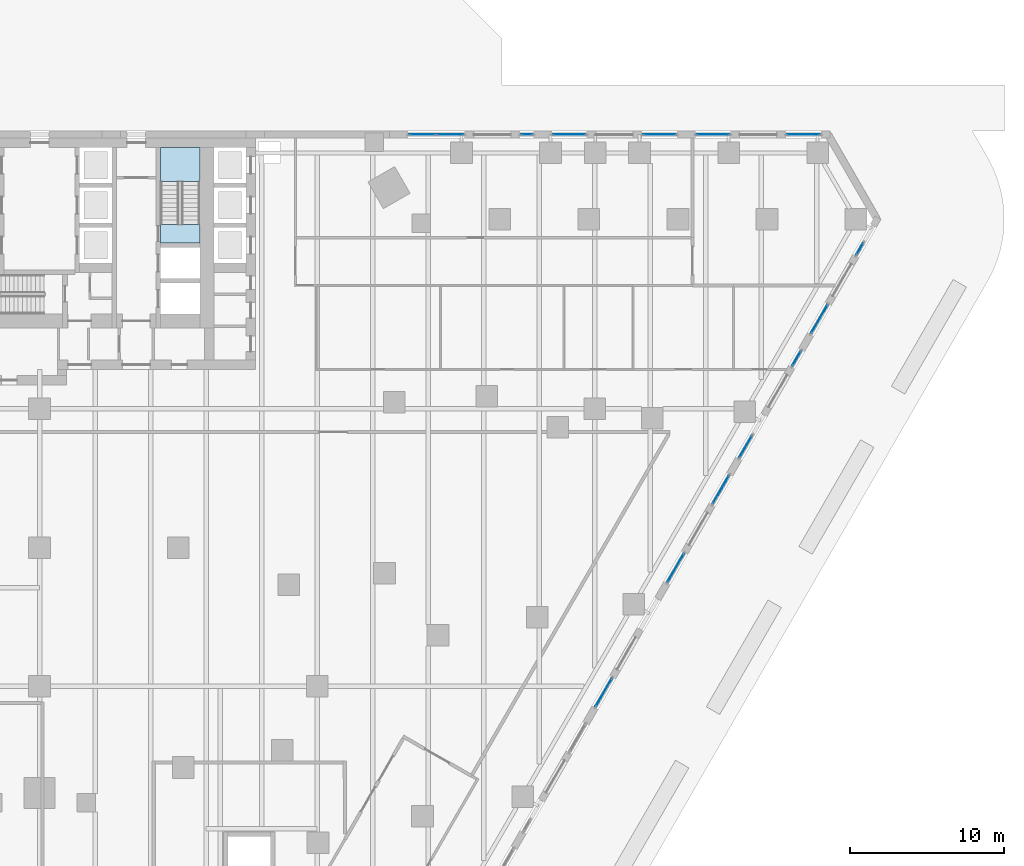
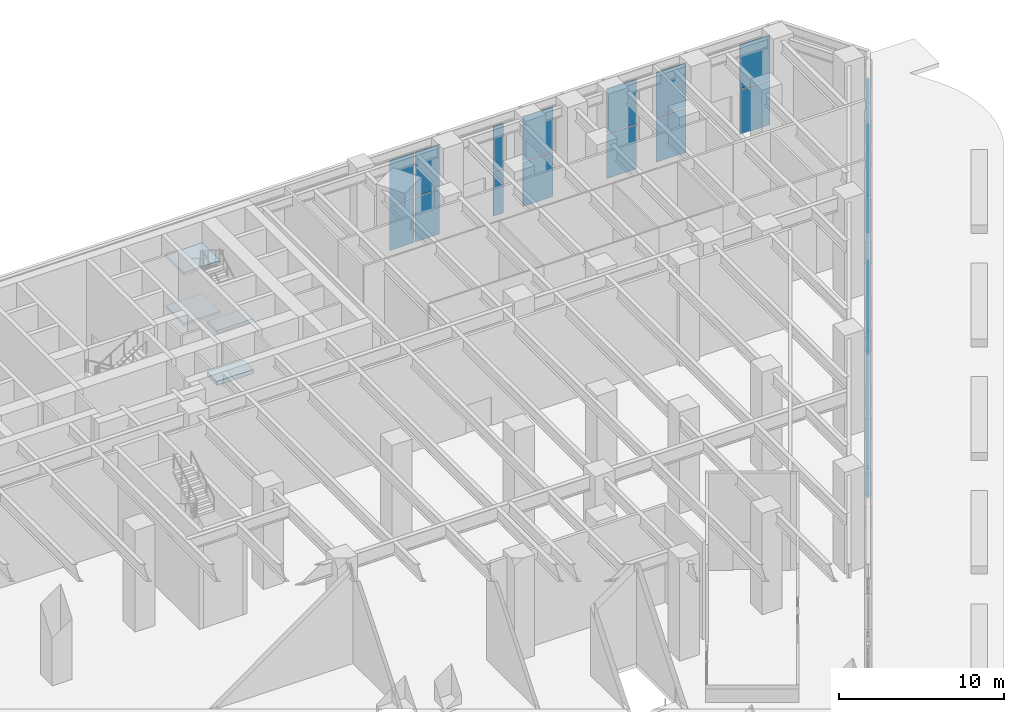
# One storey, part 24 of 37: 28 plates, 4 slabs, 14 elements without a shape of their own.
"""IFC4 building model written with IfcOpenShell, lengths in metres."""

from ifc_helpers import new_model, si_unit, direction, frame, origin, origin_2d, place, context, subcontext, project, spatial, polyline, rectangle, outline, extrude, material, layer, layer_set, type_object, element, aggregate, save


model = new_model("IFC4")

# Units and contexts
model_context = context("Model", 3, precision=1e-05, world=origin(), true_north=direction((0.0, 1.0)))
body_context = subcontext(model_context, "Body", "Model", "MODEL_VIEW")
ifc_project = project(units=[si_unit("LENGTHUNIT", "METRE"), si_unit("AREAUNIT", "SQUARE_METRE"), si_unit("VOLUMEUNIT", "CUBIC_METRE"), si_unit("PLANEANGLEUNIT", "RADIAN"), si_unit("MASSUNIT", "GRAM", prefix="KILO")], contexts=[model_context])

# Site, building, storey
site_placement = place(None, origin())
site = spatial("IfcSite", under=ifc_project, at=site_placement, CompositionType="ELEMENT")
building_placement = place(site_placement, origin())
building = spatial("IfcBuilding", under=site, at=building_placement, Name="Aloe Facet Convention Tower", CompositionType="ELEMENT")
storey_placement = place(building_placement, origin())
storey = spatial("IfcBuildingStorey", under=building, at=storey_placement, Name="L00", CompositionType="ELEMENT", Elevation=0.0)

# Slab
ifc_material_1 = material(Name="Concrete C80/95", Category="concrete")
ifc_layer_1 = layer(ifc_material_1, 0.300048828125)
ifc_layer_set_1 = layer_set([ifc_layer_1], Name="CR-S-FLOOR300-C8095")
slab_type_1 = type_object("IfcSlabType", Name="CR-S-FLOOR300-C8095", PredefinedType="FLOOR", material=ifc_layer_set_1)
slab_1_placement = place(storey_placement, frame((0.0, 0.0, -0.300048828125)))
element("IfcSlab", 1, at=slab_1_placement, inside=storey, type_object=slab_type_1, Name="Stair landing floor L00", PredefinedType="FLOOR", context=body_context, shape_type="SweptSolid", body=[
    extrude(outline(polyline([(90.39990234375, 127.75), (90.39990234375, 128.951171875), (87.85009765625, 128.951171875), (87.85009765625, 127.75), (90.39990234375, 127.75)])), origin(), (0.0, 0.0, 1.0), 0.300048828125),
])

# Stair, slabs
ifc_material_2 = material(Name="Concrete C50/60", Category="concrete")
stair_type = type_object("IfcStairType", Name="CR-ST-44R", PredefinedType="HALF_TURN_STAIR", material=ifc_material_2)
stair_placement = place(storey_placement, origin())
stair = element("IfcStair", 2, at=stair_placement, inside=storey, type_object=stair_type, Name="L00 Protected exit stair ST2", PredefinedType="HALF_TURN_STAIR")
ifc_material_3 = material(Name="Concrete C50/60", Category="concrete")
ifc_layer_2 = layer(ifc_material_3, 0.199951171875)
ifc_layer_set_2 = layer_set([ifc_layer_2], Name="CR-SL-LANDING")
slab_type_2 = type_object("IfcSlabType", Name="CR-SL-LANDING", PredefinedType="LANDING", material=ifc_layer_set_2)
slab_2_placement = place(storey_placement, frame((0.0, 0.0, 1.675048828125)))
slab_2 = element("IfcSlab", 3, at=slab_2_placement, type_object=slab_type_2, Name="ST2 landing 1", PredefinedType="LANDING", context=body_context, shape_type="SweptSolid", body=[
    extrude(outline(polyline([(90.39990234375, 131.75), (90.39990234375, 133.949951171875), (87.85009765625, 133.949951171875), (87.85009765625, 131.75), (90.39990234375, 131.75)])), origin(), (0.0, 0.0, 1.0), 0.199951171875),
])
slab_3_placement = place(storey_placement, frame((0.0, 0.0, 3.550048828125)))
slab_3 = element("IfcSlab", 4, at=slab_3_placement, type_object=slab_type_2, Name="ST2 landing 2", PredefinedType="LANDING", context=body_context, shape_type="SweptSolid", body=[
    extrude(outline(polyline([(90.39990234375, 127.75), (90.39990234375, 128.949951171875), (87.85009765625, 128.949951171875), (87.85009765625, 127.75), (90.39990234375, 127.75)])), origin(), (0.0, 0.0, 1.0), 0.199951171875),
])
slab_4_placement = place(storey_placement, frame((0.0, 0.0, 5.425048828125)))
slab_4 = element("IfcSlab", 5, at=slab_4_placement, type_object=slab_type_2, Name="ST2 landing 3", PredefinedType="LANDING", context=body_context, shape_type="SweptSolid", body=[
    extrude(outline(polyline([(90.39990234375, 131.75), (90.39990234375, 133.949951171875), (87.85009765625, 133.949951171875), (87.85009765625, 131.75), (90.39990234375, 131.75)])), origin(), (0.0, 0.0, 1.0), 0.199951171875),
])
aggregate(stair, [slab_2, slab_3, slab_4])

# Curtain wall, plates
ifc_material_4 = material(Name="Aluminium, anodised", Category="aluminium")
curtain_wall_type = type_object("IfcCurtainWallType", Name="EV-CW-PORTAL", PredefinedType="USERDEFINED", material=ifc_material_4)
curtain_wall_1_placement = place(storey_placement, origin())
curtain_wall_1 = element("IfcCurtainWall", 6, at=curtain_wall_1_placement, inside=storey, type_object=curtain_wall_type, Name="CW-L00-N02A", ObjectType="ENTRANCE PORTAL GLAZING", PredefinedType="USERDEFINED")
ifc_material_5 = material(Name="Clear double glazing", Category="glass")
ifc_layer_3 = layer(ifc_material_5, 0.035888671875)
ifc_layer_set_3 = layer_set([ifc_layer_3], Name="EV-PANEL-PORTAL")
plate_type = type_object("IfcPlateType", Name="EV-PANEL-PORTAL", PredefinedType="CURTAIN_PANEL", material=ifc_layer_set_3)
plate_1_placement = place(storey_placement, frame((129.537109375, 134.77490234375, -0.219970703125), z_axis=(0.0, 0.0, 1.0), x_axis=(-1.0, 0.0, 0.0)))
plate_1 = element("IfcPlate", 7, at=plate_1_placement, type_object=plate_type, Name="CW-L00-N02A panel 1.1", PredefinedType="CURTAIN_PANEL", context=body_context, shape_type="SweptSolid", body=[
    extrude(rectangle(XDim=2.1005859375, YDim=0.035888671875, at=origin_2d()), origin(), (0.0, 0.0, 1.0), 3.2861328125),
])
plate_2_placement = place(storey_placement, frame((129.537109375, 134.77490234375, 3.146240234375), z_axis=(0.0, 0.0, 1.0), x_axis=(-1.0, 0.0, 0.0)))
plate_2 = element("IfcPlate", 8, at=plate_2_placement, type_object=plate_type, Name="CW-L00-N02A panel 1.2", PredefinedType="CURTAIN_PANEL", context=body_context, shape_type="SweptSolid", body=[
    extrude(rectangle(XDim=2.1005859375, YDim=0.035888671875, at=origin_2d()), origin(), (0.0, 0.0, 1.0), 3.2861328125),
])
aggregate(curtain_wall_1, [plate_1, plate_2])

curtain_wall_2_placement = place(storey_placement, origin())
curtain_wall_2 = element("IfcCurtainWall", 9, at=curtain_wall_2_placement, inside=storey, type_object=curtain_wall_type, Name="CW-L00-N02B", ObjectType="ENTRANCE PORTAL GLAZING", PredefinedType="USERDEFINED")
plate_3_placement = place(storey_placement, frame((123.676513671875, 134.77490234375, -0.219970703125), z_axis=(0.0, 0.0, 1.0), x_axis=(-1.0, 0.0, 0.0)))
plate_3 = element("IfcPlate", 10, at=plate_3_placement, type_object=plate_type, Name="CW-L00-N02B panel 1.1", PredefinedType="CURTAIN_PANEL", context=body_context, shape_type="SweptSolid", body=[
    extrude(rectangle(XDim=2.1005859375, YDim=0.035888671875, at=origin_2d()), origin(), (0.0, 0.0, 1.0), 3.2861328125),
])
plate_4_placement = place(storey_placement, frame((123.676513671875, 134.77490234375, 3.146240234375), z_axis=(0.0, 0.0, 1.0), x_axis=(-1.0, 0.0, 0.0)))
plate_4 = element("IfcPlate", 11, at=plate_4_placement, type_object=plate_type, Name="CW-L00-N02B panel 1.2", PredefinedType="CURTAIN_PANEL", context=body_context, shape_type="SweptSolid", body=[
    extrude(rectangle(XDim=2.1005859375, YDim=0.035888671875, at=origin_2d()), origin(), (0.0, 0.0, 1.0), 3.2861328125),
])
aggregate(curtain_wall_2, [plate_3, plate_4])

curtain_wall_3_placement = place(storey_placement, origin())
curtain_wall_3 = element("IfcCurtainWall", 12, at=curtain_wall_3_placement, inside=storey, type_object=curtain_wall_type, Name="CW-L00-N04A", ObjectType="ENTRANCE PORTAL GLAZING", PredefinedType="USERDEFINED")
plate_5_placement = place(storey_placement, frame((120.2158203125, 134.77490234375, -0.219970703125), z_axis=(0.0, 0.0, 1.0), x_axis=(-1.0, 0.0, 0.0)))
plate_5 = element("IfcPlate", 13, at=plate_5_placement, type_object=plate_type, Name="CW-L00-N04A panel 1.1", PredefinedType="CURTAIN_PANEL", context=body_context, shape_type="SweptSolid", body=[
    extrude(rectangle(XDim=2.1005859375, YDim=0.035888671875, at=origin_2d()), origin(), (0.0, 0.0, 1.0), 3.2861328125),
])
plate_6_placement = place(storey_placement, frame((120.2158203125, 134.77490234375, 3.146240234375), z_axis=(0.0, 0.0, 1.0), x_axis=(-1.0, 0.0, 0.0)))
plate_6 = element("IfcPlate", 14, at=plate_6_placement, type_object=plate_type, Name="CW-L00-N04A panel 1.2", PredefinedType="CURTAIN_PANEL", context=body_context, shape_type="SweptSolid", body=[
    extrude(rectangle(XDim=2.1005859375, YDim=0.035888671875, at=origin_2d()), origin(), (0.0, 0.0, 1.0), 3.2861328125),
])
aggregate(curtain_wall_3, [plate_5, plate_6])

curtain_wall_4_placement = place(storey_placement, origin())
curtain_wall_4 = element("IfcCurtainWall", 15, at=curtain_wall_4_placement, inside=storey, type_object=curtain_wall_type, Name="CW-L00-N04B", ObjectType="ENTRANCE PORTAL GLAZING", PredefinedType="USERDEFINED")
plate_7_placement = place(storey_placement, frame((114.355224609375, 134.77490234375, -0.219970703125), z_axis=(0.0, 0.0, 1.0), x_axis=(-1.0, 0.0, 0.0)))
plate_7 = element("IfcPlate", 16, at=plate_7_placement, type_object=plate_type, Name="CW-L00-N04B panel 1.1", PredefinedType="CURTAIN_PANEL", context=body_context, shape_type="SweptSolid", body=[
    extrude(rectangle(XDim=2.1005859375, YDim=0.035888671875, at=origin_2d()), origin(), (0.0, 0.0, 1.0), 3.2861328125),
])
plate_8_placement = place(storey_placement, frame((114.355224609375, 134.77490234375, 3.146240234375), z_axis=(0.0, 0.0, 1.0), x_axis=(-1.0, 0.0, 0.0)))
plate_8 = element("IfcPlate", 17, at=plate_8_placement, type_object=plate_type, Name="CW-L00-N04B panel 1.2", PredefinedType="CURTAIN_PANEL", context=body_context, shape_type="SweptSolid", body=[
    extrude(rectangle(XDim=2.1005859375, YDim=0.035888671875, at=origin_2d()), origin(), (0.0, 0.0, 1.0), 3.2861328125),
])
aggregate(curtain_wall_4, [plate_7, plate_8])

curtain_wall_5_placement = place(storey_placement, origin())
curtain_wall_5 = element("IfcCurtainWall", 18, at=curtain_wall_5_placement, inside=storey, type_object=curtain_wall_type, Name="CW-L00-N06A", ObjectType="ENTRANCE PORTAL GLAZING", PredefinedType="USERDEFINED")
plate_9_placement = place(storey_placement, frame((111.594482421875, 134.77490234375, -0.219970703125), z_axis=(0.0, 0.0, 1.0), x_axis=(-1.0, 0.0, 0.0)))
plate_9 = element("IfcPlate", 19, at=plate_9_placement, type_object=plate_type, Name="CW-L00-N06A panel 1.1", PredefinedType="CURTAIN_PANEL", context=body_context, shape_type="SweptSolid", body=[
    extrude(rectangle(XDim=0.70068359375, YDim=0.035888671875, at=origin_2d()), origin(), (0.0, 0.0, 1.0), 3.2861328125),
])
plate_10_placement = place(storey_placement, frame((111.594482421875, 134.77490234375, 3.146240234375), z_axis=(0.0, 0.0, 1.0), x_axis=(-1.0, 0.0, 0.0)))
plate_10 = element("IfcPlate", 20, at=plate_10_placement, type_object=plate_type, Name="CW-L00-N06A panel 1.2", PredefinedType="CURTAIN_PANEL", context=body_context, shape_type="SweptSolid", body=[
    extrude(rectangle(XDim=0.70068359375, YDim=0.035888671875, at=origin_2d()), origin(), (0.0, 0.0, 1.0), 3.2861328125),
])
aggregate(curtain_wall_5, [plate_9, plate_10])

curtain_wall_6_placement = place(storey_placement, origin())
curtain_wall_6 = element("IfcCurtainWall", 21, at=curtain_wall_6_placement, inside=storey, type_object=curtain_wall_type, Name="CW-L00-N06B", ObjectType="ENTRANCE PORTAL GLAZING", PredefinedType="USERDEFINED")
plate_11_placement = place(storey_placement, frame((106.62890625, 134.77490234375, -0.219970703125), z_axis=(0.0, 0.0, 1.0), x_axis=(-1.0, 0.0, 0.0)))
plate_11 = element("IfcPlate", 22, at=plate_11_placement, type_object=plate_type, Name="CW-L00-N06B panel 1.1", PredefinedType="CURTAIN_PANEL", context=body_context, shape_type="SweptSolid", body=[
    extrude(rectangle(XDim=1.71044921875, YDim=0.035888671875, at=origin_2d()), origin(), (0.0, 0.0, 1.0), 3.2861328125),
])
plate_12_placement = place(storey_placement, frame((106.62890625, 134.77490234375, 3.146240234375), z_axis=(0.0, 0.0, 1.0), x_axis=(-1.0, 0.0, 0.0)))
plate_12 = element("IfcPlate", 23, at=plate_12_placement, type_object=plate_type, Name="CW-L00-N06B panel 1.2", PredefinedType="CURTAIN_PANEL", context=body_context, shape_type="SweptSolid", body=[
    extrude(rectangle(XDim=1.71044921875, YDim=0.035888671875, at=origin_2d()), origin(), (0.0, 0.0, 1.0), 3.2861328125),
])
plate_13_placement = place(storey_placement, frame((104.838623046875, 134.77490234375, -0.219970703125), z_axis=(0.0, 0.0, 1.0), x_axis=(-1.0, 0.0, 0.0)))
plate_13 = element("IfcPlate", 24, at=plate_13_placement, type_object=plate_type, Name="CW-L00-N06B panel 2.1", PredefinedType="CURTAIN_PANEL", context=body_context, shape_type="SweptSolid", body=[
    extrude(rectangle(XDim=1.71044921875, YDim=0.035888671875, at=origin_2d()), origin(), (0.0, 0.0, 1.0), 3.2861328125),
])
plate_14_placement = place(storey_placement, frame((104.838623046875, 134.77490234375, 3.146240234375), z_axis=(0.0, 0.0, 1.0), x_axis=(-1.0, 0.0, 0.0)))
plate_14 = element("IfcPlate", 25, at=plate_14_placement, type_object=plate_type, Name="CW-L00-N06B panel 2.2", PredefinedType="CURTAIN_PANEL", context=body_context, shape_type="SweptSolid", body=[
    extrude(rectangle(XDim=1.71044921875, YDim=0.035888671875, at=origin_2d()), origin(), (0.0, 0.0, 1.0), 3.2861328125),
])
aggregate(curtain_wall_6, [plate_11, plate_12, plate_13, plate_14])

curtain_wall_7_placement = place(storey_placement, origin())
curtain_wall_7 = element("IfcCurtainWall", 26, at=curtain_wall_7_placement, inside=storey, type_object=curtain_wall_type, Name="CW-L00-E16A", ObjectType="ENTRANCE PORTAL GLAZING", PredefinedType="USERDEFINED")
plate_15_placement = place(storey_placement, frame((116.59521484375, 98.60498046875, -0.219970703125), z_axis=(0.0, 0.0, 1.0), x_axis=(0.499999999728, 0.866025403942, 0.0)))
plate_15 = element("IfcPlate", 27, at=plate_15_placement, type_object=plate_type, Name="CW-L00-E16A panel 1.1", PredefinedType="CURTAIN_PANEL", context=body_context, shape_type="SweptSolid", body=[
    extrude(rectangle(XDim=2.1005859375, YDim=0.035888671875, at=origin_2d()), origin(), (0.0, 0.0, 1.0), 3.2861328125),
])
plate_16_placement = place(storey_placement, frame((116.59521484375, 98.60498046875, 3.146240234375), z_axis=(0.0, 0.0, 1.0), x_axis=(0.499999999728, 0.866025403942, 0.0)))
plate_16 = element("IfcPlate", 28, at=plate_16_placement, type_object=plate_type, Name="CW-L00-E16A panel 1.2", PredefinedType="CURTAIN_PANEL", context=body_context, shape_type="SweptSolid", body=[
    extrude(rectangle(XDim=2.1005859375, YDim=0.035888671875, at=origin_2d()), origin(), (0.0, 0.0, 1.0), 3.2861328125),
])
aggregate(curtain_wall_7, [plate_15, plate_16])

curtain_wall_8_placement = place(storey_placement, origin())
curtain_wall_8 = element("IfcCurtainWall", 29, at=curtain_wall_8_placement, inside=storey, type_object=curtain_wall_type, Name="CW-L00-E18A", ObjectType="ENTRANCE PORTAL GLAZING", PredefinedType="USERDEFINED")
plate_17_placement = place(storey_placement, frame((121.255859375, 106.677734375, -0.219970703125), z_axis=(0.0, 0.0, 1.0), x_axis=(0.50000000006, 0.86602540375, 0.0)))
plate_17 = element("IfcPlate", 30, at=plate_17_placement, type_object=plate_type, Name="CW-L00-E18A panel 1.1", PredefinedType="CURTAIN_PANEL", context=body_context, shape_type="SweptSolid", body=[
    extrude(rectangle(XDim=2.1005859375, YDim=0.035888671875, at=origin_2d()), origin(), (0.0, 0.0, 1.0), 3.2861328125),
])
plate_18_placement = place(storey_placement, frame((121.255859375, 106.677734375, 3.146240234375), z_axis=(0.0, 0.0, 1.0), x_axis=(0.50000000006, 0.86602540375, 0.0)))
plate_18 = element("IfcPlate", 31, at=plate_18_placement, type_object=plate_type, Name="CW-L00-E18A panel 1.2", PredefinedType="CURTAIN_PANEL", context=body_context, shape_type="SweptSolid", body=[
    extrude(rectangle(XDim=2.1005859375, YDim=0.035888671875, at=origin_2d()), origin(), (0.0, 0.0, 1.0), 3.2861328125),
])
aggregate(curtain_wall_8, [plate_17, plate_18])

curtain_wall_9_placement = place(storey_placement, origin())
curtain_wall_9 = element("IfcCurtainWall", 32, at=curtain_wall_9_placement, inside=storey, type_object=curtain_wall_type, Name="CW-L00-E18B", ObjectType="ENTRANCE PORTAL GLAZING", PredefinedType="USERDEFINED")
plate_19_placement = place(storey_placement, frame((124.18603515625, 111.753173828125, -0.219970703125), z_axis=(0.0, 0.0, 1.0), x_axis=(0.50000000006, 0.86602540375, 0.0)))
plate_19 = element("IfcPlate", 33, at=plate_19_placement, type_object=plate_type, Name="CW-L00-E18B panel 1.1", PredefinedType="CURTAIN_PANEL", context=body_context, shape_type="SweptSolid", body=[
    extrude(rectangle(XDim=2.1005859375, YDim=0.035888671875, at=origin_2d()), origin(), (0.0, 0.0, 1.0), 3.2861328125),
])
plate_20_placement = place(storey_placement, frame((124.18603515625, 111.753173828125, 3.146240234375), z_axis=(0.0, 0.0, 1.0), x_axis=(0.50000000006, 0.86602540375, 0.0)))
plate_20 = element("IfcPlate", 34, at=plate_20_placement, type_object=plate_type, Name="CW-L00-E18B panel 1.2", PredefinedType="CURTAIN_PANEL", context=body_context, shape_type="SweptSolid", body=[
    extrude(rectangle(XDim=2.1005859375, YDim=0.035888671875, at=origin_2d()), origin(), (0.0, 0.0, 1.0), 3.2861328125),
])
aggregate(curtain_wall_9, [plate_19, plate_20])

curtain_wall_10_placement = place(storey_placement, origin())
curtain_wall_10 = element("IfcCurtainWall", 35, at=curtain_wall_10_placement, inside=storey, type_object=curtain_wall_type, Name="CW-L00-E20A", ObjectType="ENTRANCE PORTAL GLAZING", PredefinedType="USERDEFINED")
plate_21_placement = place(storey_placement, frame((125.799560546875, 114.547607421875, -0.219970703125), z_axis=(0.0, 0.0, 1.0), x_axis=(0.499999999955, 0.866025403811, 0.0)))
plate_21 = element("IfcPlate", 36, at=plate_21_placement, type_object=plate_type, Name="CW-L00-E20A panel 1.1", PredefinedType="CURTAIN_PANEL", context=body_context, shape_type="SweptSolid", body=[
    extrude(rectangle(XDim=1.6328125, YDim=0.035888671875, at=origin_2d()), origin(), (0.0, 0.0, 1.0), 3.2861328125),
])
plate_22_placement = place(storey_placement, frame((125.799560546875, 114.547607421875, 3.146240234375), z_axis=(0.0, 0.0, 1.0), x_axis=(0.499999999955, 0.866025403811, 0.0)))
plate_22 = element("IfcPlate", 37, at=plate_22_placement, type_object=plate_type, Name="CW-L00-E20A panel 1.2", PredefinedType="CURTAIN_PANEL", context=body_context, shape_type="SweptSolid", body=[
    extrude(rectangle(XDim=1.6328125, YDim=0.035888671875, at=origin_2d()), origin(), (0.0, 0.0, 1.0), 3.2861328125),
])
aggregate(curtain_wall_10, [plate_21, plate_22])

curtain_wall_11_placement = place(storey_placement, origin())
curtain_wall_11 = element("IfcCurtainWall", 38, at=curtain_wall_11_placement, inside=storey, type_object=curtain_wall_type, Name="CW-L00-E20B", ObjectType="ENTRANCE PORTAL GLAZING", PredefinedType="USERDEFINED")
plate_23_placement = place(storey_placement, frame((129.096923828125, 120.2587890625, -0.219970703125), z_axis=(0.0, 0.0, 1.0), x_axis=(0.500000000166, 0.866025403688, 0.0)))
plate_23 = element("IfcPlate", 39, at=plate_23_placement, type_object=plate_type, Name="CW-L00-E20B panel 1.1", PredefinedType="CURTAIN_PANEL", context=body_context, shape_type="SweptSolid", body=[
    extrude(rectangle(XDim=1.1005859375, YDim=0.035888671875, at=origin_2d()), origin(), (0.0, 0.0, 1.0), 3.2861328125),
])
plate_24_placement = place(storey_placement, frame((129.096923828125, 120.2587890625, 3.146240234375), z_axis=(0.0, 0.0, 1.0), x_axis=(0.500000000166, 0.866025403688, 0.0)))
plate_24 = element("IfcPlate", 40, at=plate_24_placement, type_object=plate_type, Name="CW-L00-E20B panel 1.2", PredefinedType="CURTAIN_PANEL", context=body_context, shape_type="SweptSolid", body=[
    extrude(rectangle(XDim=1.1005859375, YDim=0.035888671875, at=origin_2d()), origin(), (0.0, 0.0, 1.0), 3.2861328125),
])
aggregate(curtain_wall_11, [plate_23, plate_24])

curtain_wall_12_placement = place(storey_placement, origin())
curtain_wall_12 = element("IfcCurtainWall", 41, at=curtain_wall_12_placement, inside=storey, type_object=curtain_wall_type, Name="CW-L00-E22A", ObjectType="ENTRANCE PORTAL GLAZING", PredefinedType="USERDEFINED")
plate_25_placement = place(storey_placement, frame((130.5771484375, 122.82275390625, -0.219970703125), z_axis=(0.0, 0.0, 1.0), x_axis=(0.50000000006, 0.86602540375, 0.0)))
plate_25 = element("IfcPlate", 42, at=plate_25_placement, type_object=plate_type, Name="CW-L00-E22A panel 1.1", PredefinedType="CURTAIN_PANEL", context=body_context, shape_type="SweptSolid", body=[
    extrude(rectangle(XDim=2.1005859375, YDim=0.035888671875, at=origin_2d()), origin(), (0.0, 0.0, 1.0), 3.2861328125),
])
plate_26_placement = place(storey_placement, frame((130.5771484375, 122.82275390625, 3.146240234375), z_axis=(0.0, 0.0, 1.0), x_axis=(0.50000000006, 0.86602540375, 0.0)))
plate_26 = element("IfcPlate", 43, at=plate_26_placement, type_object=plate_type, Name="CW-L00-E22A panel 1.2", PredefinedType="CURTAIN_PANEL", context=body_context, shape_type="SweptSolid", body=[
    extrude(rectangle(XDim=2.1005859375, YDim=0.035888671875, at=origin_2d()), origin(), (0.0, 0.0, 1.0), 3.2861328125),
])
aggregate(curtain_wall_12, [plate_25, plate_26])

curtain_wall_13_placement = place(storey_placement, origin())
curtain_wall_13 = element("IfcCurtainWall", 44, at=curtain_wall_13_placement, inside=storey, type_object=curtain_wall_type, Name="CW-L00-E22B", ObjectType="ENTRANCE PORTAL GLAZING", PredefinedType="USERDEFINED")
plate_27_placement = place(storey_placement, frame((133.19921875, 127.3642578125, -0.219970703125), z_axis=(0.0, 0.0, 1.0), x_axis=(0.499999999547, 0.866025404046, 0.0)))
plate_27 = element("IfcPlate", 45, at=plate_27_placement, type_object=plate_type, Name="CW-L00-E22B panel 1.1", PredefinedType="CURTAIN_PANEL", context=body_context, shape_type="SweptSolid", body=[
    extrude(rectangle(XDim=0.86767578125, YDim=0.035888671875, at=origin_2d()), origin(), (0.0, 0.0, 1.0), 3.2861328125),
])
plate_28_placement = place(storey_placement, frame((133.19921875, 127.3642578125, 3.146240234375), z_axis=(0.0, 0.0, 1.0), x_axis=(0.499999999547, 0.866025404046, 0.0)))
plate_28 = element("IfcPlate", 46, at=plate_28_placement, type_object=plate_type, Name="CW-L00-E22B panel 1.2", PredefinedType="CURTAIN_PANEL", context=body_context, shape_type="SweptSolid", body=[
    extrude(rectangle(XDim=0.86767578125, YDim=0.035888671875, at=origin_2d()), origin(), (0.0, 0.0, 1.0), 3.2861328125),
])
aggregate(curtain_wall_13, [plate_27, plate_28])

save(model, "model.ifc")
